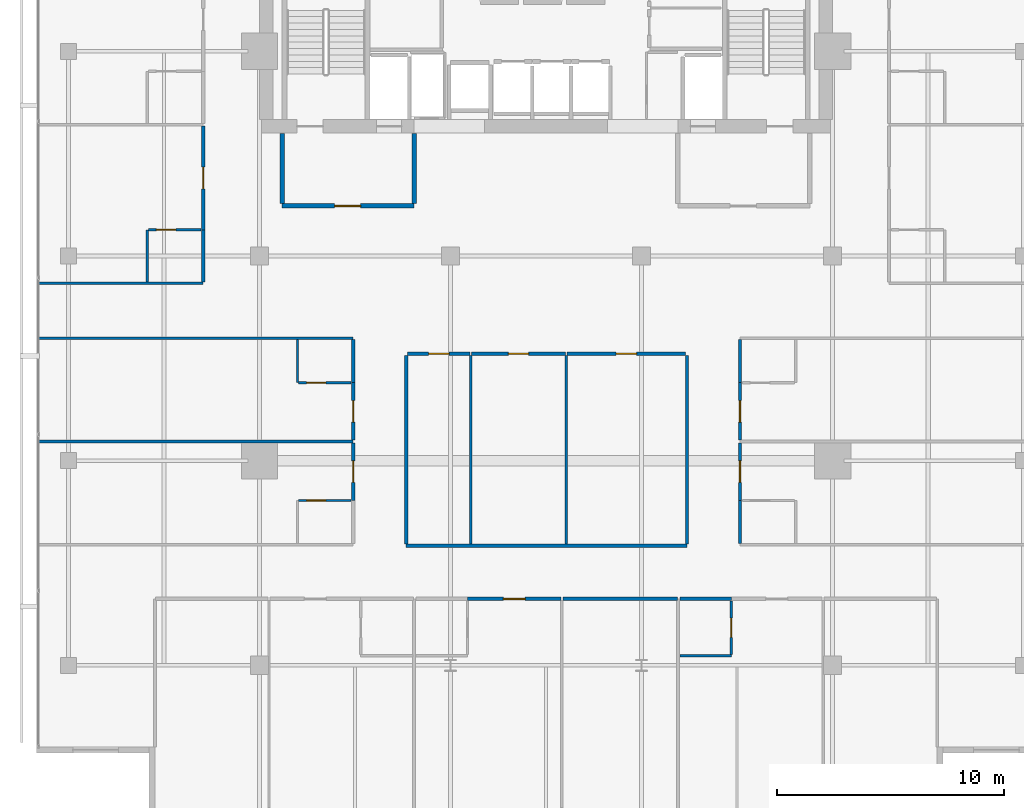
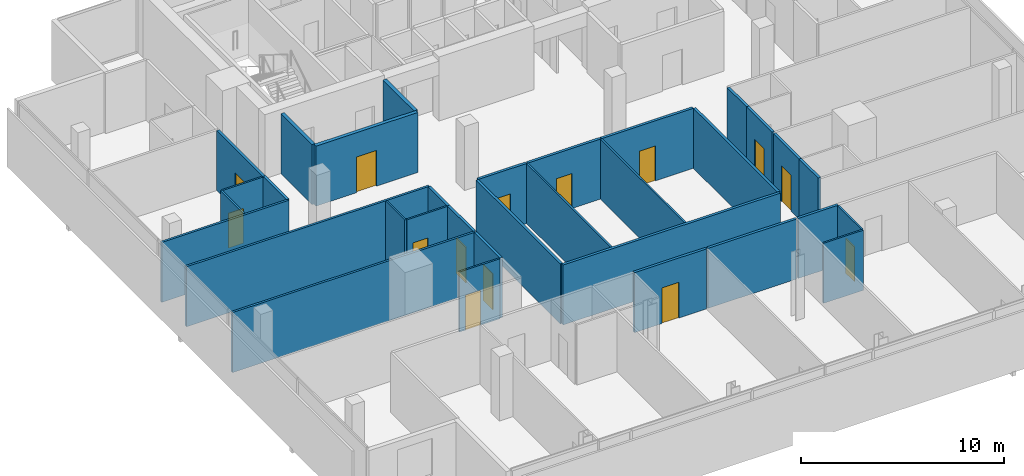
# One storey, part 20 of 25: 33 walls, 14 doors, 14 openings.
"""IFC4 building model written with IfcOpenShell, lengths in metres."""

from ifc_helpers import new_model, si_unit, direction, frame, frame_2d, origin, place, context, subcontext, project, spatial, rectangle, extrude, material, layer, layer_set, type_object, element, fill, save


model = new_model("IFC4")

# Units and contexts
model_context = context("Model", 3, precision=1e-05, world=origin(), true_north=direction((0.0, 1.0)))
body_context = subcontext(model_context, "Body", "Model", "MODEL_VIEW")
ifc_project = project(units=[si_unit("LENGTHUNIT", "METRE"), si_unit("AREAUNIT", "SQUARE_METRE"), si_unit("VOLUMEUNIT", "CUBIC_METRE"), si_unit("PLANEANGLEUNIT", "RADIAN"), si_unit("MASSUNIT", "GRAM", prefix="KILO")], contexts=[model_context])

# Site, building, storey
site_placement = place(None, origin())
site = spatial("IfcSite", under=ifc_project, at=site_placement, CompositionType="ELEMENT")
building_placement = place(site_placement, origin())
building = spatial("IfcBuilding", under=site, at=building_placement, Name="Maruvema Waterfront Hotel and Observation Tower", CompositionType="ELEMENT")
storey_placement = place(building_placement, frame((0.0, 0.0, 297.14990234375)))
storey = spatial("IfcBuildingStorey", under=building, at=storey_placement, Name="L73", CompositionType="ELEMENT", Elevation=297.14990234375)

# Walls
ifc_material_1 = material(Name="Twin-stud acoustic gypsum drywall", Category="gypsum")
ifc_layer_1 = layer(ifc_material_1, 0.14990234375, Name="Acoustic Corridor and Suite Demising Wall 150 mm")
ifc_layer_set_1 = layer_set([ifc_layer_1], Name="Twin-stud acoustic gypsum drywall")
wall_type_1 = type_object("IfcWallType", Name="Acoustic Corridor and Suite Demising Wall 150 mm", PredefinedType="PARTITIONING", material=ifc_layer_set_1)
wall_1_placement = place(storey_placement, frame((31.64990234375, 23.25, 0.0), z_axis=(0.0, 0.0, 1.0), x_axis=(1.0, 0.0, 0.0)))
element("IfcWall", 1, at=wall_1_placement, inside=storey, type_object=wall_type_1, Name="L73 L73-Z3M Back Wall 021", PredefinedType="PARTITIONING", context=body_context, shape_type="SweptSolid", body=[
    extrude(rectangle(XDim=12.35009765625, YDim=0.14990234375, at=frame_2d((6.175048828125, 0.0))), origin(), (0.0, 0.0, 1.0), 3.610107421875),
])
for number, where, z_axis, x_axis, name in (
    (2, (31.64990234375, 23.330078125, 0.0), (0.0, 0.0, 1.0), (0.0, 1.0, 0.0), "L73 L73-Z3M West Wall 022"),
    (3, (44.0, 23.330078125, 0.0), (0.0, 0.0, 1.0), (0.0, 1.0, 0.0), "L73 L73-Z3M East Wall 023"),
):
    element("IfcWall", number, at=place(storey_placement, frame(where, z_axis=z_axis, x_axis=x_axis)), inside=storey, type_object=wall_type_1, Name=name, PredefinedType="PARTITIONING", context=body_context, shape_type="SweptSolid", body=[
        extrude(rectangle(XDim=8.2900390625, YDim=0.14990234375, at=frame_2d((4.14501953125, 0.0))), origin(), (0.0, 0.0, 1.0), 3.610107421875),
    ])

# Wall, opening, door
wall_2_placement = place(storey_placement, frame((31.7099609375, 31.699951171875, 0.0), z_axis=(0.0, 0.0, 1.0), x_axis=(1.0, 0.0, 0.0)))
wall_2 = element("IfcWall", 4, at=wall_2_placement, inside=storey, type_object=wall_type_1, Name="L73 L73-Z3M Front 1 024", PredefinedType="PARTITIONING", context=body_context, shape_type="SweptSolid", body=[
    extrude(rectangle(XDim=2.75048828125, YDim=0.14990234375, at=frame_2d((1.375244140625, 0.0))), origin(), (0.0, 0.0, 1.0), 3.610107421875),
])
opening_1_placement = place(wall_2_placement, frame((0.92529296875, 0.0, 0.0)))
opening_1 = element("IfcOpeningElement", 5, at=opening_1_placement, cuts=wall_2, Name="Opening DR-090", PredefinedType="OPENING", context=body_context, shape_type="SweptSolid", body=[
    extrude(rectangle(XDim=0.89990234375, YDim=2.10009765625, at=frame_2d((0.449951171875, 1.050048828125))), frame((0.0, 0.0849609375, 0.0), z_axis=(0.0, -1.0, 0.0), x_axis=(1.0, 0.0, 0.0)), (0.0, 0.0, 1.0), 0.169921875),
])
ifc_material_2 = material(Name="Solid-core lacquered timber leaf", Category="wood")
door_type_1 = type_object("IfcDoorType", Name="Accessible Toilet and Room Door 900x2100 mm", OperationType="NOTDEFINED", PredefinedType="DOOR", material=ifc_material_2)
door_1_placement = place(opening_1_placement, origin())
door_1 = element("IfcDoor", 6, at=door_1_placement, inside=storey, type_object=door_type_1, Name="L73 Horizon Gallery Lounge 1 Door", OperationType="SINGLE_SWING_LEFT", OverallHeight=2.10009765625, OverallWidth=0.89990234375, PredefinedType="DOOR", context=body_context, shape_type="SweptSolid", body=[
    extrude(rectangle(XDim=0.89990234375, YDim=2.10009765625, at=frame_2d((0.449951171875, 1.050048828125))), frame((0.0, 0.02490234375, 0.0), z_axis=(0.0, -1.0, 0.0), x_axis=(1.0, 0.0, 0.0)), (0.0, 0.0, 1.0), 0.050048828125),
])
fill(opening_1, door_1)

wall_3_placement = place(storey_placement, frame((34.5205078125, 31.699951171875, 0.0), z_axis=(0.0, 0.0, 1.0), x_axis=(1.0, 0.0, 0.0)))
wall_3 = element("IfcWall", 7, at=wall_3_placement, inside=storey, type_object=wall_type_1, Name="L73 L73-Z3M Front 2 026", PredefinedType="PARTITIONING", context=body_context, shape_type="SweptSolid", body=[
    extrude(rectangle(XDim=4.138916015625, YDim=0.14990234375, at=frame_2d((2.0693359375, 0.0))), origin(), (0.0, 0.0, 1.0), 3.610107421875),
])
opening_2_placement = place(wall_3_placement, frame((1.619384765625, 0.0, 0.0)))
opening_2 = element("IfcOpeningElement", 8, at=opening_2_placement, cuts=wall_3, Name="Opening DR-090", PredefinedType="OPENING", context=body_context, shape_type="SweptSolid", body=[
    extrude(rectangle(XDim=0.89990234375, YDim=2.10009765625, at=frame_2d((0.449951171875, 1.050048828125))), frame((0.0, 0.0849609375, 0.0), z_axis=(0.0, -1.0, 0.0), x_axis=(1.0, 0.0, 0.0)), (0.0, 0.0, 1.0), 0.169921875),
])
door_2_placement = place(opening_2_placement, origin())
door_2 = element("IfcDoor", 9, at=door_2_placement, inside=storey, type_object=door_type_1, Name="L73 Horizon Gallery Lounge 2 Door", OperationType="SINGLE_SWING_RIGHT", OverallHeight=2.10009765625, OverallWidth=0.89990234375, PredefinedType="DOOR", context=body_context, shape_type="SweptSolid", body=[
    extrude(rectangle(XDim=0.89990234375, YDim=2.10009765625, at=frame_2d((0.449951171875, 1.050048828125))), frame((0.0, 0.02490234375, 0.0), z_axis=(0.0, -1.0, 0.0), x_axis=(1.0, 0.0, 0.0)), (0.0, 0.0, 1.0), 0.050048828125),
])
fill(opening_2, door_2)

wall_4_placement = place(storey_placement, frame((38.719482421875, 31.699951171875, 0.0), z_axis=(0.0, 0.0, 1.0), x_axis=(1.0, 0.0, 0.0)))
wall_4 = element("IfcWall", 10, at=wall_4_placement, inside=storey, type_object=wall_type_1, Name="L73 L73-Z3M Front 3 028", PredefinedType="PARTITIONING", context=body_context, shape_type="SweptSolid", body=[
    extrude(rectangle(XDim=5.220458984375, YDim=0.14990234375, at=frame_2d((2.6103515625, 0.0))), origin(), (0.0, 0.0, 1.0), 3.610107421875),
])
opening_3_placement = place(wall_4_placement, frame((2.160400390625, 0.0, 0.0)))
opening_3 = element("IfcOpeningElement", 11, at=opening_3_placement, cuts=wall_4, Name="Opening DR-090", PredefinedType="OPENING", context=body_context, shape_type="SweptSolid", body=[
    extrude(rectangle(XDim=0.89990234375, YDim=2.10009765625, at=frame_2d((0.449951171875, 1.050048828125))), frame((0.0, 0.0849609375, 0.0), z_axis=(0.0, -1.0, 0.0), x_axis=(1.0, 0.0, 0.0)), (0.0, 0.0, 1.0), 0.169921875),
])
door_3_placement = place(opening_3_placement, origin())
door_3 = element("IfcDoor", 12, at=door_3_placement, inside=storey, type_object=door_type_1, Name="L73 Butler Kitchen Door", OperationType="SINGLE_SWING_LEFT", OverallHeight=2.10009765625, OverallWidth=0.89990234375, PredefinedType="DOOR", context=body_context, shape_type="SweptSolid", body=[
    extrude(rectangle(XDim=0.89990234375, YDim=2.10009765625, at=frame_2d((0.449951171875, 1.050048828125))), frame((0.0, 0.02490234375, 0.0), z_axis=(0.0, -1.0, 0.0), x_axis=(1.0, 0.0, 0.0)), (0.0, 0.0, 1.0), 0.050048828125),
])
fill(opening_3, door_3)

wall_5_placement = place(storey_placement, frame((34.35009765625, 20.919921875, 0.0), z_axis=(0.0, 0.0, 1.0), x_axis=(1.0, 0.0, 0.0)))
wall_5 = element("IfcWall", 13, at=wall_5_placement, inside=storey, type_object=wall_type_1, Name="L73 Unit L73-S2 Corridor Wall 041", PredefinedType="PARTITIONING", context=body_context, shape_type="SweptSolid", body=[
    extrude(rectangle(XDim=4.10595703125, YDim=0.14990234375, at=frame_2d((2.052978515625, 0.0))), origin(), (0.0, 0.0, 1.0), 3.610107421875),
])
opening_4_placement = place(wall_5_placement, frame((1.577880859375, 0.0, 0.0)))
opening_4 = element("IfcOpeningElement", 14, at=opening_4_placement, cuts=wall_5, Name="Opening DR-095", PredefinedType="OPENING", context=body_context, shape_type="SweptSolid", body=[
    extrude(rectangle(XDim=0.949951171875, YDim=2.14990234375, at=frame_2d((0.47509765625, 1.074951171875))), frame((0.0, 0.0849609375, 0.0), z_axis=(0.0, -1.0, 0.0), x_axis=(1.0, 0.0, 0.0)), (0.0, 0.0, 1.0), 0.169921875),
])
ifc_material_3 = material(Name="Acoustic solid-core hardwood timber leaf", Category="wood")
door_type_2 = type_object("IfcDoorType", Name="Guestroom Entrance Fire Door 950x2150 mm", OperationType="NOTDEFINED", PredefinedType="DOOR", material=ifc_material_3)
door_4_placement = place(opening_4_placement, frame((0.949951171875, 0.0, 0.0), z_axis=(0.0, 0.0, 1.0), x_axis=(-1.0, 0.0, 0.0)))
door_4 = element("IfcDoor", 15, at=door_4_placement, inside=storey, type_object=door_type_2, Name="L73 Unit L73-S2 Entrance Door", OperationType="SINGLE_SWING_RIGHT", OverallHeight=2.14990234375, OverallWidth=0.949951171875, PredefinedType="DOOR", context=body_context, shape_type="SweptSolid", body=[
    extrude(rectangle(XDim=0.949951171875, YDim=2.14990234375, at=frame_2d((0.47509765625, 1.074951171875))), frame((0.0, 0.02490234375, 0.0), z_axis=(0.0, -1.0, 0.0), x_axis=(1.0, 0.0, 0.0)), (0.0, 0.0, 1.0), 0.050048828125),
])
fill(opening_4, door_4)

# Walls
wall_6_placement = place(storey_placement, frame((38.535888671875, 20.919921875, 0.0), z_axis=(0.0, 0.0, 1.0), x_axis=(1.0, 0.0, 0.0)))
element("IfcWall", 16, at=wall_6_placement, inside=storey, type_object=wall_type_1, Name="L73 Bedroom L73-S2 Back Wall 042", PredefinedType="PARTITIONING", context=body_context, shape_type="SweptSolid", body=[
    extrude(rectangle(XDim=5.044189453125, YDim=0.14990234375, at=frame_2d((2.52197265625, 0.0))), origin(), (0.0, 0.0, 1.0), 3.610107421875),
])
wall_7_placement = place(storey_placement, frame((43.679931640625, 20.919921875, 0.0), z_axis=(0.0, 0.0, 1.0), x_axis=(1.0, 0.0, 0.0)))
element("IfcWall", 17, at=wall_7_placement, inside=storey, type_object=wall_type_1, Name="L73 Bath L73-S3 Back Wall 045", PredefinedType="PARTITIONING", context=body_context, shape_type="SweptSolid", body=[
    extrude(rectangle(XDim=2.27001953125, YDim=0.14990234375, at=frame_2d((1.135009765625, 0.0))), origin(), (0.0, 0.0, 1.0), 3.610107421875),
])

# Wall, opening, door
wall_8_placement = place(storey_placement, frame((29.320068359375, 25.25, 0.0), z_axis=(0.0, 0.0, 1.0), x_axis=(0.0, 1.0, 0.0)))
wall_8 = element("IfcWall", 18, at=wall_8_placement, inside=storey, type_object=wall_type_1, Name="L73 Room L73-W1 Corridor Wall 056", PredefinedType="PARTITIONING", context=body_context, shape_type="SweptSolid", body=[
    extrude(rectangle(XDim=2.530029296875, YDim=0.14990234375, at=frame_2d((1.26513671875, 0.0))), origin(), (0.0, 0.0, 1.0), 3.610107421875),
])
opening_5_placement = place(wall_8_placement, frame((0.7900390625, 0.0, 0.0)))
opening_5 = element("IfcOpeningElement", 19, at=opening_5_placement, cuts=wall_8, Name="Opening DR-095", PredefinedType="OPENING", context=body_context, shape_type="SweptSolid", body=[
    extrude(rectangle(XDim=0.949951171875, YDim=2.14990234375, at=frame_2d((0.47509765625, 1.074951171875))), frame((0.0, 0.0849609375, 0.0), z_axis=(0.0, -1.0, 0.0), x_axis=(1.0, 0.0, 0.0)), (0.0, 0.0, 1.0), 0.169921875),
])
door_5_placement = place(opening_5_placement, origin())
door_5 = element("IfcDoor", 20, at=door_5_placement, inside=storey, type_object=door_type_2, Name="L73 Room L73-W1 Entrance Door", OperationType="SINGLE_SWING_RIGHT", OverallHeight=2.14990234375, OverallWidth=0.949951171875, PredefinedType="DOOR", context=body_context, shape_type="SweptSolid", body=[
    extrude(rectangle(XDim=0.949951171875, YDim=2.14990234375, at=frame_2d((0.47509765625, 1.074951171875))), frame((0.0, 0.02490234375, 0.0), z_axis=(0.0, -1.0, 0.0), x_axis=(1.0, 0.0, 0.0)), (0.0, 0.0, 1.0), 0.050048828125),
])
fill(opening_5, door_5)

# Wall
wall_9_placement = place(storey_placement, frame((46.330078125, 23.360107421875, 0.0), z_axis=(0.0, 0.0, 1.0), x_axis=(0.0, 1.0, 0.0)))
element("IfcWall", 21, at=wall_9_placement, inside=storey, type_object=wall_type_1, Name="L73 Bath L73-E1 Wall 059", PredefinedType="PARTITIONING", context=body_context, shape_type="SweptSolid", body=[
    extrude(rectangle(XDim=1.889892578125, YDim=0.14990234375, at=frame_2d((0.94482421875, 0.0))), origin(), (0.0, 0.0, 1.0), 3.610107421875),
])

# Wall, opening, door
wall_10_placement = place(storey_placement, frame((46.330078125, 25.25, 0.0), z_axis=(0.0, 0.0, 1.0), x_axis=(0.0, 1.0, 0.0)))
wall_10 = element("IfcWall", 22, at=wall_10_placement, inside=storey, type_object=wall_type_1, Name="L73 Room L73-E1 Corridor Wall 060", PredefinedType="PARTITIONING", context=body_context, shape_type="SweptSolid", body=[
    extrude(rectangle(XDim=2.530029296875, YDim=0.14990234375, at=frame_2d((1.26513671875, 0.0))), origin(), (0.0, 0.0, 1.0), 3.610107421875),
])
opening_6_placement = place(wall_10_placement, frame((0.7900390625, 0.0, 0.0)))
opening_6 = element("IfcOpeningElement", 23, at=opening_6_placement, cuts=wall_10, Name="Opening DR-095", PredefinedType="OPENING", context=body_context, shape_type="SweptSolid", body=[
    extrude(rectangle(XDim=0.949951171875, YDim=2.14990234375, at=frame_2d((0.47509765625, 1.074951171875))), frame((0.0, 0.0849609375, 0.0), z_axis=(0.0, -1.0, 0.0), x_axis=(1.0, 0.0, 0.0)), (0.0, 0.0, 1.0), 0.169921875),
])
door_6_placement = place(opening_6_placement, frame((0.949951171875, 0.0, 0.0), z_axis=(0.0, 0.0, 1.0), x_axis=(-1.0, 0.0, 0.0)))
door_6 = element("IfcDoor", 24, at=door_6_placement, inside=storey, type_object=door_type_2, Name="L73 Room L73-E1 Entrance Door", OperationType="SINGLE_SWING_RIGHT", OverallHeight=2.14990234375, OverallWidth=0.949951171875, PredefinedType="DOOR", context=body_context, shape_type="SweptSolid", body=[
    extrude(rectangle(XDim=0.949951171875, YDim=2.14990234375, at=frame_2d((0.47509765625, 1.074951171875))), frame((0.0, 0.02490234375, 0.0), z_axis=(0.0, -1.0, 0.0), x_axis=(1.0, 0.0, 0.0)), (0.0, 0.0, 1.0), 0.050048828125),
])
fill(opening_6, door_6)

wall_11_placement = place(storey_placement, frame((29.320068359375, 27.89990234375, 0.0), z_axis=(0.0, 0.0, 1.0), x_axis=(0.0, 1.0, 0.0)))
wall_11 = element("IfcWall", 25, at=wall_11_placement, inside=storey, type_object=wall_type_1, Name="L73 Room L73-W2 Corridor Wall 065", PredefinedType="PARTITIONING", context=body_context, shape_type="SweptSolid", body=[
    extrude(rectangle(XDim=2.530029296875, YDim=0.14990234375, at=frame_2d((1.26513671875, 0.0))), origin(), (0.0, 0.0, 1.0), 3.610107421875),
])
opening_7_placement = place(wall_11_placement, frame((0.7900390625, 0.0, 0.0)))
opening_7 = element("IfcOpeningElement", 26, at=opening_7_placement, cuts=wall_11, Name="Opening DR-095", PredefinedType="OPENING", context=body_context, shape_type="SweptSolid", body=[
    extrude(rectangle(XDim=0.949951171875, YDim=2.14990234375, at=frame_2d((0.47509765625, 1.074951171875))), frame((0.0, 0.0849609375, 0.0), z_axis=(0.0, -1.0, 0.0), x_axis=(1.0, 0.0, 0.0)), (0.0, 0.0, 1.0), 0.169921875),
])
door_7_placement = place(opening_7_placement, origin())
door_7 = element("IfcDoor", 27, at=door_7_placement, inside=storey, type_object=door_type_2, Name="L73 Room L73-W2 Entrance Door", OperationType="SINGLE_SWING_RIGHT", OverallHeight=2.14990234375, OverallWidth=0.949951171875, PredefinedType="DOOR", context=body_context, shape_type="SweptSolid", body=[
    extrude(rectangle(XDim=0.949951171875, YDim=2.14990234375, at=frame_2d((0.47509765625, 1.074951171875))), frame((0.0, 0.02490234375, 0.0), z_axis=(0.0, -1.0, 0.0), x_axis=(1.0, 0.0, 0.0)), (0.0, 0.0, 1.0), 0.050048828125),
])
fill(opening_7, door_7)

# Wall
wall_12_placement = place(storey_placement, frame((29.320068359375, 30.429931640625, 0.0), z_axis=(0.0, 0.0, 1.0), x_axis=(0.0, 1.0, 0.0)))
element("IfcWall", 28, at=wall_12_placement, inside=storey, type_object=wall_type_1, Name="L73 Bath L73-W2 Wall 066", PredefinedType="PARTITIONING", context=body_context, shape_type="SweptSolid", body=[
    extrude(rectangle(XDim=1.89013671875, YDim=0.14990234375, at=frame_2d((0.945068359375, 0.0))), origin(), (0.0, 0.0, 1.0), 3.610107421875),
])

# Wall, opening, door
wall_13_placement = place(storey_placement, frame((46.330078125, 27.89990234375, 0.0), z_axis=(0.0, 0.0, 1.0), x_axis=(0.0, 1.0, 0.0)))
wall_13 = element("IfcWall", 29, at=wall_13_placement, inside=storey, type_object=wall_type_1, Name="L73 Room L73-E2 Corridor Wall 069", PredefinedType="PARTITIONING", context=body_context, shape_type="SweptSolid", body=[
    extrude(rectangle(XDim=2.530029296875, YDim=0.14990234375, at=frame_2d((1.26513671875, 0.0))), origin(), (0.0, 0.0, 1.0), 3.610107421875),
])
opening_8_placement = place(wall_13_placement, frame((0.7900390625, 0.0, 0.0)))
opening_8 = element("IfcOpeningElement", 30, at=opening_8_placement, cuts=wall_13, Name="Opening DR-095", PredefinedType="OPENING", context=body_context, shape_type="SweptSolid", body=[
    extrude(rectangle(XDim=0.949951171875, YDim=2.14990234375, at=frame_2d((0.47509765625, 1.074951171875))), frame((0.0, 0.0849609375, 0.0), z_axis=(0.0, -1.0, 0.0), x_axis=(1.0, 0.0, 0.0)), (0.0, 0.0, 1.0), 0.169921875),
])
door_8_placement = place(opening_8_placement, frame((0.949951171875, 0.0, 0.0), z_axis=(0.0, 0.0, 1.0), x_axis=(-1.0, 0.0, 0.0)))
door_8 = element("IfcDoor", 31, at=door_8_placement, inside=storey, type_object=door_type_2, Name="L73 Room L73-E2 Entrance Door", OperationType="SINGLE_SWING_RIGHT", OverallHeight=2.14990234375, OverallWidth=0.949951171875, PredefinedType="DOOR", context=body_context, shape_type="SweptSolid", body=[
    extrude(rectangle(XDim=0.949951171875, YDim=2.14990234375, at=frame_2d((0.47509765625, 1.074951171875))), frame((0.0, 0.02490234375, 0.0), z_axis=(0.0, -1.0, 0.0), x_axis=(1.0, 0.0, 0.0)), (0.0, 0.0, 1.0), 0.050048828125),
])
fill(opening_8, door_8)

# Walls
wall_14_placement = place(storey_placement, frame((46.330078125, 30.429931640625, 0.0), z_axis=(0.0, 0.0, 1.0), x_axis=(0.0, 1.0, 0.0)))
element("IfcWall", 32, at=wall_14_placement, inside=storey, type_object=wall_type_1, Name="L73 Bath L73-E2 Wall 070", PredefinedType="PARTITIONING", context=body_context, shape_type="SweptSolid", body=[
    extrude(rectangle(XDim=1.89013671875, YDim=0.14990234375, at=frame_2d((0.945068359375, 0.0))), origin(), (0.0, 0.0, 1.0), 3.610107421875),
])
wall_15_placement = place(storey_placement, frame((22.719970703125, 34.860107421875, 0.0), z_axis=(0.0, 0.0, 1.0), x_axis=(0.0, 1.0, 0.0)))
element("IfcWall", 33, at=wall_15_placement, inside=storey, type_object=wall_type_1, Name="L73 Bath L73-NW1 Wall 077", PredefinedType="PARTITIONING", context=body_context, shape_type="SweptSolid", body=[
    extrude(rectangle(XDim=2.289794921875, YDim=0.14990234375, at=frame_2d((1.14501953125, 0.0))), origin(), (0.0, 0.0, 1.0), 3.610107421875),
])

# Wall, opening, door
wall_16_placement = place(storey_placement, frame((22.719970703125, 37.14990234375, 0.0), z_axis=(0.0, 0.0, 1.0), x_axis=(0.0, 1.0, 0.0)))
wall_16 = element("IfcWall", 34, at=wall_16_placement, inside=storey, type_object=wall_type_1, Name="L73 Room L73-NW1 Corridor Wall 078", PredefinedType="PARTITIONING", context=body_context, shape_type="SweptSolid", body=[
    extrude(rectangle(XDim=4.558837890625, YDim=0.14990234375, at=frame_2d((2.279296875, 0.0))), origin(), (0.0, 0.0, 1.0), 3.610107421875),
])
opening_9_placement = place(wall_16_placement, frame((1.804443359375, 0.0, 0.0)))
opening_9 = element("IfcOpeningElement", 35, at=opening_9_placement, cuts=wall_16, Name="Opening DR-095", PredefinedType="OPENING", context=body_context, shape_type="SweptSolid", body=[
    extrude(rectangle(XDim=0.949951171875, YDim=2.14990234375, at=frame_2d((0.47509765625, 1.074951171875))), frame((0.0, 0.0849609375, 0.0), z_axis=(0.0, -1.0, 0.0), x_axis=(1.0, 0.0, 0.0)), (0.0, 0.0, 1.0), 0.169921875),
])
door_9_placement = place(opening_9_placement, origin())
door_9 = element("IfcDoor", 36, at=door_9_placement, inside=storey, type_object=door_type_2, Name="L73 Room L73-NW1 Entrance Door", OperationType="SINGLE_SWING_RIGHT", OverallHeight=2.14990234375, OverallWidth=0.949951171875, PredefinedType="DOOR", context=body_context, shape_type="SweptSolid", body=[
    extrude(rectangle(XDim=0.949951171875, YDim=2.14990234375, at=frame_2d((0.47509765625, 1.074951171875))), frame((0.0, 0.02490234375, 0.0), z_axis=(0.0, -1.0, 0.0), x_axis=(1.0, 0.0, 0.0)), (0.0, 0.0, 1.0), 0.050048828125),
])
fill(opening_9, door_9)

# Walls
ifc_material_4 = material(Name="Moisture-resistant cement-board drywall", Category="gypsum")
ifc_layer_2 = layer(ifc_material_4, 0.10009765625, Name="En-Suite Moisture-Resistant Partition 100 mm")
ifc_layer_set_2 = layer_set([ifc_layer_2], Name="Moisture-resistant cement-board drywall")
wall_type_2 = type_object("IfcWallType", Name="En-Suite Moisture-Resistant Partition 100 mm", PredefinedType="PARTITIONING", material=ifc_layer_set_2)
for number, where, z_axis, x_axis, name in (
    (37, (34.490478515625, 23.330078125, 0.0), (0.0, 0.0, 1.0), (0.0, 1.0, 0.0), "L73 L73-Z3M Split 1 025"),
    (38, (38.689453125, 23.330078125, 0.0), (0.0, 0.0, 1.0), (0.0, 1.0, 0.0), "L73 L73-Z3M Split 2 027"),
):
    element("IfcWall", number, at=place(storey_placement, frame(where, z_axis=z_axis, x_axis=x_axis)), inside=storey, type_object=wall_type_2, Name=name, PredefinedType="PARTITIONING", context=body_context, shape_type="SweptSolid", body=[
        extrude(rectangle(XDim=8.2900390625, YDim=0.10009765625, at=frame_2d((4.14501953125, 0.0))), origin(), (0.0, 0.0, 1.0), 3.610107421875),
    ])
wall_17_placement = place(storey_placement, frame((43.679931640625, 18.419921875, 0.0), z_axis=(0.0, 0.0, 1.0), x_axis=(1.0, 0.0, 0.0)))
element("IfcWall", 39, at=wall_17_placement, inside=storey, type_object=wall_type_2, Name="L73 En-Suite L73-S3 South 046", PredefinedType="PARTITIONING", context=body_context, shape_type="SweptSolid", body=[
    extrude(rectangle(XDim=2.27001953125, YDim=0.10009765625, at=frame_2d((1.135009765625, 0.0))), origin(), (0.0, 0.0, 1.0), 3.610107421875),
])

# Wall, opening, door
wall_18_placement = place(storey_placement, frame((45.949951171875, 18.47998046875, 0.0), z_axis=(0.0, 0.0, 1.0), x_axis=(0.0, 1.0, 0.0)))
wall_18 = element("IfcWall", 40, at=wall_18_placement, inside=storey, type_object=wall_type_2, Name="L73 En-Suite L73-S3 East 047", PredefinedType="PARTITIONING", context=body_context, shape_type="SweptSolid", body=[
    extrude(rectangle(XDim=2.340087890625, YDim=0.10009765625, at=frame_2d((1.169921875, 0.0))), origin(), (0.0, 0.0, 1.0), 3.610107421875),
])
opening_10_placement = place(wall_18_placement, frame((0.7451171875, 0.0, 0.0)))
opening_10 = element("IfcOpeningElement", 41, at=opening_10_placement, cuts=wall_18, Name="Opening DR-085", PredefinedType="OPENING", context=body_context, shape_type="SweptSolid", body=[
    extrude(rectangle(XDim=0.85009765625, YDim=2.10009765625, at=frame_2d((0.425048828125, 1.050048828125))), frame((0.0, 0.06005859375, 0.0), z_axis=(0.0, -1.0, 0.0), x_axis=(1.0, 0.0, 0.0)), (0.0, 0.0, 1.0), 0.1201171875),
])
ifc_material_5 = material(Name="Moisture-resistant solid timber leaf", Category="wood")
door_type_3 = type_object("IfcDoorType", Name="En-Suite Bathroom Door 850x2100 mm", OperationType="NOTDEFINED", PredefinedType="DOOR", material=ifc_material_5)
door_10_placement = place(opening_10_placement, frame((0.85009765625, 0.0, 0.0), z_axis=(0.0, 0.0, 1.0), x_axis=(-1.0, 0.0, 0.0)))
door_10 = element("IfcDoor", 42, at=door_10_placement, inside=storey, type_object=door_type_3, Name="L73 En-Suite L73-S3 Door", OperationType="SINGLE_SWING_RIGHT", OverallHeight=2.10009765625, OverallWidth=0.85009765625, PredefinedType="DOOR", context=body_context, shape_type="SweptSolid", body=[
    extrude(rectangle(XDim=0.85009765625, YDim=2.10009765625, at=frame_2d((0.425048828125, 1.050048828125))), frame((0.0, 0.02490234375, 0.0), z_axis=(0.0, -1.0, 0.0), x_axis=(1.0, 0.0, 0.0)), (0.0, 0.0, 1.0), 0.050048828125),
])
fill(opening_10, door_10)

wall_19_placement = place(storey_placement, frame((26.919921875, 25.25, 0.0), z_axis=(0.0, 0.0, 1.0), x_axis=(1.0, 0.0, 0.0)))
wall_19 = element("IfcWall", 43, at=wall_19_placement, inside=storey, type_object=wall_type_2, Name="L73 En-Suite L73-W1 N 058", PredefinedType="PARTITIONING", context=body_context, shape_type="SweptSolid", body=[
    extrude(rectangle(XDim=2.300048828125, YDim=0.10009765625, at=frame_2d((1.14990234375, 0.0))), origin(), (0.0, 0.0, 1.0), 3.610107421875),
])
opening_11_placement = place(wall_19_placement, frame((0.35009765625, 0.0, 0.0)))
opening_11 = element("IfcOpeningElement", 44, at=opening_11_placement, cuts=wall_19, Name="Opening DR-085", PredefinedType="OPENING", context=body_context, shape_type="SweptSolid", body=[
    extrude(rectangle(XDim=0.85009765625, YDim=2.10009765625, at=frame_2d((0.425048828125, 1.050048828125))), frame((0.0, 0.06005859375, 0.0), z_axis=(0.0, -1.0, 0.0), x_axis=(1.0, 0.0, 0.0)), (0.0, 0.0, 1.0), 0.1201171875),
])
door_11_placement = place(opening_11_placement, origin())
door_11 = element("IfcDoor", 45, at=door_11_placement, inside=storey, type_object=door_type_3, Name="L73 En-Suite L73-W1 Door", OperationType="SINGLE_SWING_LEFT", OverallHeight=2.10009765625, OverallWidth=0.85009765625, PredefinedType="DOOR", context=body_context, shape_type="SweptSolid", body=[
    extrude(rectangle(XDim=0.85009765625, YDim=2.10009765625, at=frame_2d((0.425048828125, 1.050048828125))), frame((0.0, 0.02490234375, 0.0), z_axis=(0.0, -1.0, 0.0), x_axis=(1.0, 0.0, 0.0)), (0.0, 0.0, 1.0), 0.050048828125),
])
fill(opening_11, door_11)

# Wall
wall_20_placement = place(storey_placement, frame((26.8701171875, 30.429931640625, 0.0), z_axis=(0.0, 0.0, 1.0), x_axis=(0.0, 1.0, 0.0)))
element("IfcWall", 46, at=wall_20_placement, inside=storey, type_object=wall_type_2, Name="L73 En-Suite L73-W2 W 067", PredefinedType="PARTITIONING", context=body_context, shape_type="SweptSolid", body=[
    extrude(rectangle(XDim=1.89013671875, YDim=0.10009765625, at=frame_2d((0.945068359375, 0.0))), origin(), (0.0, 0.0, 1.0), 3.610107421875),
])

# Wall, opening, door
wall_21_placement = place(storey_placement, frame((26.919921875, 30.429931640625, 0.0), z_axis=(0.0, 0.0, 1.0), x_axis=(1.0, 0.0, 0.0)))
wall_21 = element("IfcWall", 47, at=wall_21_placement, inside=storey, type_object=wall_type_2, Name="L73 En-Suite L73-W2 S 068", PredefinedType="PARTITIONING", context=body_context, shape_type="SweptSolid", body=[
    extrude(rectangle(XDim=2.300048828125, YDim=0.10009765625, at=frame_2d((1.14990234375, 0.0))), origin(), (0.0, 0.0, 1.0), 3.610107421875),
])
opening_12_placement = place(wall_21_placement, frame((0.35009765625, 0.0, 0.0)))
opening_12 = element("IfcOpeningElement", 48, at=opening_12_placement, cuts=wall_21, Name="Opening DR-085", PredefinedType="OPENING", context=body_context, shape_type="SweptSolid", body=[
    extrude(rectangle(XDim=0.85009765625, YDim=2.10009765625, at=frame_2d((0.425048828125, 1.050048828125))), frame((0.0, 0.06005859375, 0.0), z_axis=(0.0, -1.0, 0.0), x_axis=(1.0, 0.0, 0.0)), (0.0, 0.0, 1.0), 0.1201171875),
])
door_12_placement = place(opening_12_placement, frame((0.85009765625, 0.0, 0.0), z_axis=(0.0, 0.0, 1.0), x_axis=(-1.0, 0.0, 0.0)))
door_12 = element("IfcDoor", 49, at=door_12_placement, inside=storey, type_object=door_type_3, Name="L73 En-Suite L73-W2 Door", OperationType="SINGLE_SWING_LEFT", OverallHeight=2.10009765625, OverallWidth=0.85009765625, PredefinedType="DOOR", context=body_context, shape_type="SweptSolid", body=[
    extrude(rectangle(XDim=0.85009765625, YDim=2.10009765625, at=frame_2d((0.425048828125, 1.050048828125))), frame((0.0, 0.02490234375, 0.0), z_axis=(0.0, -1.0, 0.0), x_axis=(1.0, 0.0, 0.0)), (0.0, 0.0, 1.0), 0.050048828125),
])
fill(opening_12, door_12)

# Wall
wall_22_placement = place(storey_placement, frame((20.27001953125, 34.860107421875, 0.0), z_axis=(0.0, 0.0, 1.0), x_axis=(0.0, 1.0, 0.0)))
element("IfcWall", 50, at=wall_22_placement, inside=storey, type_object=wall_type_2, Name="L73 En-Suite L73-NW1 W 079", PredefinedType="PARTITIONING", context=body_context, shape_type="SweptSolid", body=[
    extrude(rectangle(XDim=2.289794921875, YDim=0.10009765625, at=frame_2d((1.14501953125, 0.0))), origin(), (0.0, 0.0, 1.0), 3.610107421875),
])

# Wall, opening, door
wall_23_placement = place(storey_placement, frame((20.320068359375, 37.14990234375, 0.0), z_axis=(0.0, 0.0, 1.0), x_axis=(1.0, 0.0, 0.0)))
wall_23 = element("IfcWall", 51, at=wall_23_placement, inside=storey, type_object=wall_type_2, Name="L73 En-Suite L73-NW1 N 080", PredefinedType="PARTITIONING", context=body_context, shape_type="SweptSolid", body=[
    extrude(rectangle(XDim=2.300048828125, YDim=0.10009765625, at=frame_2d((1.14990234375, 0.0))), origin(), (0.0, 0.0, 1.0), 3.610107421875),
])
opening_13_placement = place(wall_23_placement, frame((0.35009765625, 0.0, 0.0)))
opening_13 = element("IfcOpeningElement", 52, at=opening_13_placement, cuts=wall_23, Name="Opening DR-085", PredefinedType="OPENING", context=body_context, shape_type="SweptSolid", body=[
    extrude(rectangle(XDim=0.85009765625, YDim=2.10009765625, at=frame_2d((0.425048828125, 1.050048828125))), frame((0.0, 0.06005859375, 0.0), z_axis=(0.0, -1.0, 0.0), x_axis=(1.0, 0.0, 0.0)), (0.0, 0.0, 1.0), 0.1201171875),
])
door_13_placement = place(opening_13_placement, origin())
door_13 = element("IfcDoor", 53, at=door_13_placement, inside=storey, type_object=door_type_3, Name="L73 En-Suite L73-NW1 Door", OperationType="SINGLE_SWING_LEFT", OverallHeight=2.10009765625, OverallWidth=0.85009765625, PredefinedType="DOOR", context=body_context, shape_type="SweptSolid", body=[
    extrude(rectangle(XDim=0.85009765625, YDim=2.10009765625, at=frame_2d((0.425048828125, 1.050048828125))), frame((0.0, 0.02490234375, 0.0), z_axis=(0.0, -1.0, 0.0), x_axis=(1.0, 0.0, 0.0)), (0.0, 0.0, 1.0), 0.050048828125),
])
fill(opening_13, door_13)

ifc_material_6 = material(Name="Autoclaved cellular concrete blockwork", Category="masonry")
ifc_layer_3 = layer(ifc_material_6, 0.199951171875, Name="Fire Compartment Masonry Wall 200 mm")
ifc_layer_set_3 = layer_set([ifc_layer_3], Name="Autoclaved cellular concrete blockwork")
wall_type_3 = type_object("IfcWallType", Name="Fire Compartment Masonry Wall 200 mm", PredefinedType="PARTITIONING", material=ifc_layer_set_3)
wall_24_placement = place(storey_placement, frame((26.199951171875, 38.199951171875, 0.0), z_axis=(0.0, 0.0, 1.0), x_axis=(1.0, 0.0, 0.0)))
wall_24 = element("IfcWall", 54, at=wall_24_placement, inside=storey, type_object=wall_type_3, Name="L73 FFL West South Wall 001", PredefinedType="PARTITIONING", context=body_context, shape_type="SweptSolid", body=[
    extrude(rectangle(XDim=5.800048828125, YDim=0.199951171875, at=frame_2d((2.89990234375, 0.0))), origin(), (0.0, 0.0, 1.0), 3.610107421875),
])
opening_14_placement = place(wall_24_placement, frame((2.300048828125, 0.0, 0.0)))
opening_14 = element("IfcOpeningElement", 55, at=opening_14_placement, cuts=wall_24, Name="Opening FD-115", PredefinedType="OPENING", context=body_context, shape_type="SweptSolid", body=[
    extrude(rectangle(XDim=1.14990234375, YDim=2.14990234375, at=frame_2d((0.574951171875, 1.074951171875))), frame((0.0, 0.10986328125, 0.0), z_axis=(0.0, -1.0, 0.0), x_axis=(1.0, 0.0, 0.0)), (0.0, 0.0, 1.0), 0.219970703125),
])
ifc_material_7 = material(Name="Fire-rated galvanised steel and vision glass", Category="steel")
door_type_4 = type_object("IfcDoorType", Name="Firefighting Lobby Fire Door 1150x2150 mm", OperationType="NOTDEFINED", PredefinedType="DOOR", material=ifc_material_7)
door_14_placement = place(opening_14_placement, frame((1.14990234375, 0.0, 0.0), z_axis=(0.0, 0.0, 1.0), x_axis=(-1.0, 0.0, 0.0)))
door_14 = element("IfcDoor", 56, at=door_14_placement, inside=storey, type_object=door_type_4, Name="L73 Firefighting Lobby West Door", OperationType="SINGLE_SWING_LEFT", OverallHeight=2.14990234375, OverallWidth=1.14990234375, PredefinedType="DOOR", context=body_context, shape_type="SweptSolid", body=[
    extrude(rectangle(XDim=1.14990234375, YDim=2.14990234375, at=frame_2d((0.574951171875, 1.074951171875))), frame((0.0, 0.02490234375, 0.0), z_axis=(0.0, -1.0, 0.0), x_axis=(1.0, 0.0, 0.0)), (0.0, 0.0, 1.0), 0.050048828125),
])
fill(opening_14, door_14)

# Walls
for number, where, z_axis, x_axis, name in (
    (57, (26.199951171875, 38.31005859375, 0.0), (0.0, 0.0, 1.0), (0.0, 1.0, 0.0), "L73 FFL West West Wall 002"),
    (58, (32.0, 38.31005859375, 0.0), (0.0, 0.0, 1.0), (0.0, 1.0, 0.0), "L73 FFL West East Wall 003"),
):
    element("IfcWall", number, at=place(storey_placement, frame(where, z_axis=z_axis, x_axis=x_axis)), inside=storey, type_object=wall_type_3, Name=name, PredefinedType="PARTITIONING", context=body_context, shape_type="SweptSolid", body=[
        extrude(rectangle(XDim=3.06982421875, YDim=0.199951171875, at=frame_2d((1.534912109375, 0.0))), origin(), (0.0, 0.0, 1.0), 3.610107421875),
    ])
ifc_material_8 = material(Name="Acoustic gypsum plasterboard drywall", Category="gypsum")
ifc_layer_4 = layer(ifc_material_8, 0.125, Name="Guestroom Acoustic Demising Wall 125 mm")
ifc_layer_set_4 = layer_set([ifc_layer_4], Name="Acoustic gypsum plasterboard drywall")
wall_type_4 = type_object("IfcWallType", Name="Guestroom Acoustic Demising Wall 125 mm", PredefinedType="PARTITIONING", material=ifc_layer_set_4)
for number, where, z_axis, x_axis, name in (
    (59, (15.5, 32.3798828125, 0.0), (0.0, 0.0, 1.0), (1.0, 0.0, 0.0), "L73 Z3 W Top End 053"),
    (60, (15.5, 27.840087890625, 0.0), (0.0, 0.0, 1.0), (1.0, 0.0, 0.0), "L73 Z3 W Demising 2 063"),
):
    element("IfcWall", number, at=place(storey_placement, frame(where, z_axis=z_axis, x_axis=x_axis)), inside=storey, type_object=wall_type_4, Name=name, PredefinedType="PARTITIONING", context=body_context, shape_type="SweptSolid", body=[
        extrude(rectangle(XDim=13.820068359375, YDim=0.125, at=frame_2d((6.91015625, 0.0))), origin(), (0.0, 0.0, 1.0), 3.610107421875),
    ])
wall_25_placement = place(storey_placement, frame((15.5, 34.800048828125, 0.0), z_axis=(0.0, 0.0, 1.0), x_axis=(1.0, 0.0, 0.0)))
element("IfcWall", 61, at=wall_25_placement, inside=storey, type_object=wall_type_4, Name="L73 Z3 NW Bot End 073", PredefinedType="PARTITIONING", context=body_context, shape_type="SweptSolid", body=[
    extrude(rectangle(XDim=7.219970703125, YDim=0.125, at=frame_2d((3.60986328125, 0.0))), origin(), (0.0, 0.0, 1.0), 3.610107421875),
])

save(model, "model.ifc")
